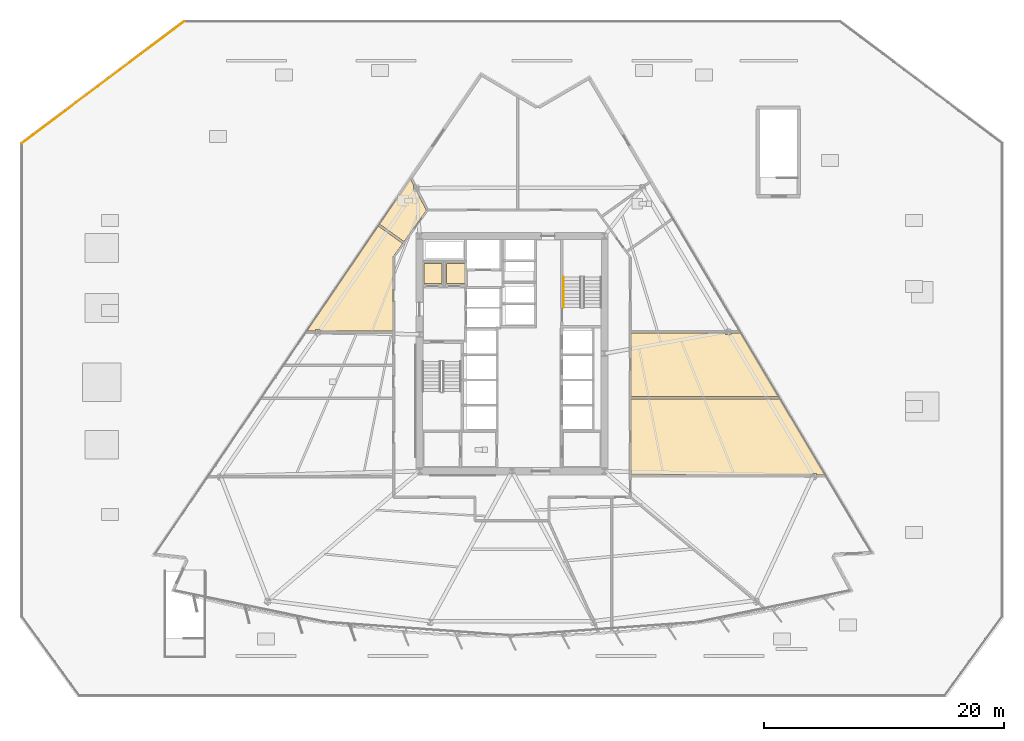
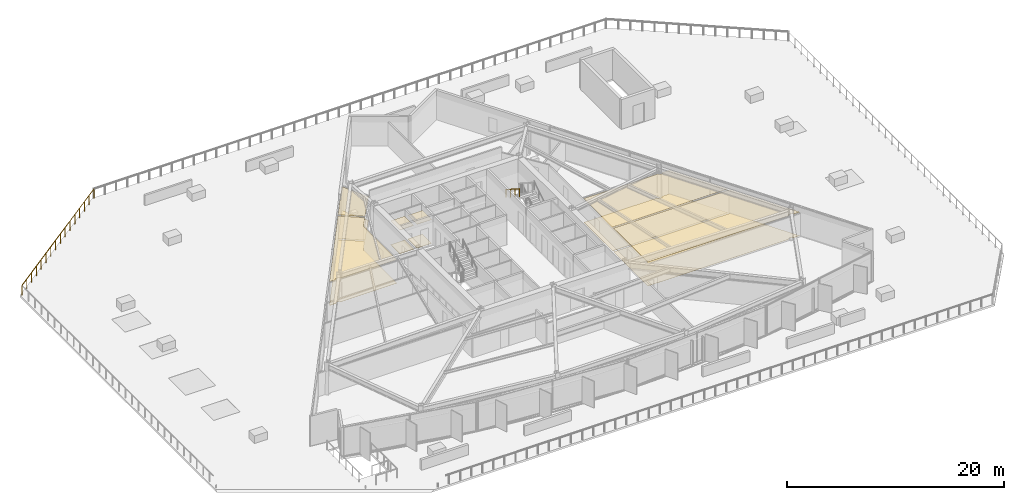
# One storey, part 16 of 19: 12 coverings, 2 railings.
"""IFC4 building model written with IfcOpenShell, lengths in metres."""

from ifc_helpers import new_model, si_unit, direction, frame, origin, origin_2d, place, context, subcontext, project, spatial, polyline, circle, outline, extrude, material, layer, layer_set, type_object, element, save


model = new_model("IFC4")

# Units and contexts
model_context = context("Model", 3, precision=1e-05, world=origin(), true_north=direction((0.0, 1.0)))
body_context = subcontext(model_context, "Body", "Model", "MODEL_VIEW")
ifc_project = project(units=[si_unit("LENGTHUNIT", "METRE"), si_unit("AREAUNIT", "SQUARE_METRE"), si_unit("VOLUMEUNIT", "CUBIC_METRE"), si_unit("PLANEANGLEUNIT", "RADIAN"), si_unit("MASSUNIT", "GRAM", prefix="KILO")], contexts=[model_context])

# Site, building, storey
site_placement = place(None, origin())
site = spatial("IfcSite", under=ifc_project, at=site_placement, CompositionType="ELEMENT")
building_placement = place(site_placement, origin())
building = spatial("IfcBuilding", under=site, at=building_placement, Name="Savorim Split Tower", CompositionType="ELEMENT")
storey_placement = place(building_placement, frame((0.0, 0.0, 26.39990234375)))
storey = spatial("IfcBuildingStorey", under=building, at=storey_placement, Name="L06", CompositionType="ELEMENT", Elevation=26.39990234375)

# Coverings
ifc_material_1 = material(Name="Mineral Fibre Acoustic Ceiling")
ifc_layer_1 = layer(ifc_material_1, 0.02490234375)
ifc_layer_set_1 = layer_set([ifc_layer_1], Name="COV-CEIL-25")
covering_type_1 = type_object("IfcCoveringType", Name="COV-CEIL-25", PredefinedType="CEILING", material=ifc_layer_set_1)
covering_1_placement = place(storey_placement, frame((0.0, 0.0, 2.670166015625)))
element("IfcCovering", 1, at=covering_1_placement, inside=storey, type_object=covering_type_1, Name="L06 Electrical Riser Acoustic Ceiling", PredefinedType="CEILING", context=body_context, shape_type="SweptSolid", body=[
    extrude(outline(polyline([(-7.320068359375, 7.919921875), (-7.320068359375, 6.22998046875), (-5.830078125, 6.22998046875), (-5.830078125, 7.919921875), (-7.320068359375, 7.919921875)])), origin(), (0.0, 0.0, 1.0), 0.02490234375),
])
covering_2_placement = place(storey_placement, frame((0.0, 0.0, 2.670166015625)))
element("IfcCovering", 2, at=covering_2_placement, inside=storey, type_object=covering_type_1, Name="L06 Telecom Riser Acoustic Ceiling", PredefinedType="CEILING", context=body_context, shape_type="SweptSolid", body=[
    extrude(outline(polyline([(-5.469970703125, 7.919921875), (-5.469970703125, 6.22998046875), (-3.929931640625, 6.22998046875), (-3.929931640625, 7.919921875), (-5.469970703125, 7.919921875)])), origin(), (0.0, 0.0, 1.0), 0.02490234375),
])
covering_3_placement = place(storey_placement, frame((0.0, 0.0, 2.670166015625)))
element("IfcCovering", 3, at=covering_3_placement, inside=storey, type_object=covering_type_1, Name="L06 Co-Working Commons Acoustic Ceiling", PredefinedType="CEILING", context=body_context, shape_type="SweptSolid", body=[
    extrude(outline(polyline([(25.384765625, -9.57373046875), (25.384765625, -9.711669921875), (26.097900390625, -9.711669921875), (26.099609375, -9.711669921875), (22.33251953125, -3.376708984375), (9.919921875, -3.376708984375), (9.919921875, -9.711669921875), (24.94873046875, -9.711669921875), (24.94873046875, -9.57373046875), (25.384765625, -9.57373046875)])), origin(), (0.0, 0.0, 1.0), 0.02490234375),
])
covering_4_placement = place(storey_placement, frame((0.0, 0.0, 2.670166015625)))
element("IfcCovering", 4, at=covering_4_placement, inside=storey, type_object=covering_type_1, Name="L06 Maker Workshop Acoustic Ceiling", PredefinedType="CEILING", context=body_context, shape_type="SweptSolid", body=[
    extrude(outline(polyline([(17.797607421875, 1.986572265625), (17.797607421875, 2.12451171875), (9.919921875, 2.12451171875), (9.919921875, -3.186767578125), (22.219482421875, -3.186767578125), (19.041748046875, 2.15771484375), (19.041748046875, 2.12451171875), (18.2333984375, 2.12451171875), (18.2333984375, 1.986572265625), (17.797607421875, 1.986572265625)])), origin(), (0.0, 0.0, 1.0), 0.02490234375),
])
covering_5_placement = place(storey_placement, frame((0.0, 0.0, 2.670166015625)))
element("IfcCovering", 5, at=covering_5_placement, inside=storey, type_object=covering_type_1, Name="L06 Shared Bathroom Acoustic Ceiling", PredefinedType="CEILING", context=body_context, shape_type="SweptSolid", body=[
    extrude(outline(polyline([(-8.194580078125, 13.964111328125), (-8.194580078125, 14.416015625), (-8.473388671875, 14.962890625), (-8.4755859375, 14.96728515625), (-11.04150390625, 11.195556640625), (-8.998046875, 9.731689453125), (-7.13427734375, 12.3330078125), (-7.964599609375, 13.964111328125), (-8.194580078125, 13.964111328125)])), origin(), (0.0, 0.0, 1.0), 0.02490234375),
])
covering_6_placement = place(storey_placement, frame((0.0, 0.0, 2.670166015625)))
element("IfcCovering", 6, at=covering_6_placement, inside=storey, type_object=covering_type_1, Name="L06 Co-Living Bedroom Acoustic Ceiling", PredefinedType="CEILING", context=body_context, shape_type="SweptSolid", body=[
    extrude(outline(polyline([(-9.908203125, 8.456298828125), (-9.901611328125, 8.46923828125), (-9.893798828125, 8.4814453125), (-9.10888671875, 9.5771484375), (-11.148193359375, 11.038330078125), (-17.1162109375, 2.265869140625), (-16.3759765625, 2.265869140625), (-16.3759765625, 2.40380859375), (-15.93994140625, 2.40380859375), (-15.93994140625, 2.265869140625), (-9.919921875, 2.265869140625), (-9.919921875, 8.39990234375), (-9.919189453125, 8.41455078125), (-9.9169921875, 8.4287109375), (-9.913330078125, 8.44287109375), (-9.908203125, 8.456298828125)])), origin(), (0.0, 0.0, 1.0), 0.02490234375),
])
ifc_material_2 = material(Name="Porcelain Stoneware Flooring", Category="masonry")
ifc_layer_2 = layer(ifc_material_2, 0.02001953125)
ifc_layer_set_2 = layer_set([ifc_layer_2], Name="COV-FLOR-20")
covering_type_2 = type_object("IfcCoveringType", Name="COV-FLOR-20", PredefinedType="FLOORING", material=ifc_layer_set_2)
covering_7_placement = place(storey_placement, origin())
element("IfcCovering", 7, at=covering_7_placement, inside=storey, type_object=covering_type_2, Name="L06 Electrical Riser Porcelain Flooring", PredefinedType="FLOORING", context=body_context, shape_type="SweptSolid", body=[
    extrude(outline(polyline([(-7.320068359375, 7.919921875), (-7.320068359375, 6.22998046875), (-5.830078125, 6.22998046875), (-5.830078125, 7.919921875), (-7.320068359375, 7.919921875)])), origin(), (0.0, 0.0, 1.0), 0.02001953125),
])
covering_8_placement = place(storey_placement, origin())
element("IfcCovering", 8, at=covering_8_placement, inside=storey, type_object=covering_type_2, Name="L06 Telecom Riser Porcelain Flooring", PredefinedType="FLOORING", context=body_context, shape_type="SweptSolid", body=[
    extrude(outline(polyline([(-5.469970703125, 7.919921875), (-5.469970703125, 6.22998046875), (-3.929931640625, 6.22998046875), (-3.929931640625, 7.919921875), (-5.469970703125, 7.919921875)])), origin(), (0.0, 0.0, 1.0), 0.02001953125),
])
covering_9_placement = place(storey_placement, origin())
element("IfcCovering", 9, at=covering_9_placement, inside=storey, type_object=covering_type_2, Name="L06 Co-Working Commons Porcelain Flooring", PredefinedType="FLOORING", context=body_context, shape_type="SweptSolid", body=[
    extrude(outline(polyline([(25.384765625, -9.57373046875), (25.384765625, -9.711669921875), (26.097900390625, -9.711669921875), (26.099609375, -9.711669921875), (22.33251953125, -3.376708984375), (9.919921875, -3.376708984375), (9.919921875, -9.711669921875), (24.94873046875, -9.711669921875), (24.94873046875, -9.57373046875), (25.384765625, -9.57373046875)])), origin(), (0.0, 0.0, 1.0), 0.02001953125),
])
covering_10_placement = place(storey_placement, origin())
element("IfcCovering", 10, at=covering_10_placement, inside=storey, type_object=covering_type_2, Name="L06 Maker Workshop Porcelain Flooring", PredefinedType="FLOORING", context=body_context, shape_type="SweptSolid", body=[
    extrude(outline(polyline([(17.797607421875, 1.986572265625), (17.797607421875, 2.12451171875), (9.919921875, 2.12451171875), (9.919921875, -3.186767578125), (22.219482421875, -3.186767578125), (19.041748046875, 2.15771484375), (19.041748046875, 2.12451171875), (18.2333984375, 2.12451171875), (18.2333984375, 1.986572265625), (17.797607421875, 1.986572265625)])), origin(), (0.0, 0.0, 1.0), 0.02001953125),
])
covering_11_placement = place(storey_placement, origin())
element("IfcCovering", 11, at=covering_11_placement, inside=storey, type_object=covering_type_2, Name="L06 Shared Bathroom Porcelain Flooring", PredefinedType="FLOORING", context=body_context, shape_type="SweptSolid", body=[
    extrude(outline(polyline([(-8.194580078125, 13.964111328125), (-8.194580078125, 14.416015625), (-8.473388671875, 14.962890625), (-8.4755859375, 14.96728515625), (-11.04150390625, 11.195556640625), (-8.998046875, 9.731689453125), (-7.13427734375, 12.3330078125), (-7.964599609375, 13.964111328125), (-8.194580078125, 13.964111328125)])), origin(), (0.0, 0.0, 1.0), 0.02001953125),
])
covering_12_placement = place(storey_placement, origin())
element("IfcCovering", 12, at=covering_12_placement, inside=storey, type_object=covering_type_2, Name="L06 Co-Living Bedroom Porcelain Flooring", PredefinedType="FLOORING", context=body_context, shape_type="SweptSolid", body=[
    extrude(outline(polyline([(-9.908203125, 8.456298828125), (-9.901611328125, 8.46923828125), (-9.893798828125, 8.4814453125), (-9.10888671875, 9.5771484375), (-11.148193359375, 11.038330078125), (-17.1162109375, 2.265869140625), (-16.3759765625, 2.265869140625), (-16.3759765625, 2.40380859375), (-15.93994140625, 2.40380859375), (-15.93994140625, 2.265869140625), (-9.919921875, 2.265869140625), (-9.919921875, 8.39990234375), (-9.919189453125, 8.41455078125), (-9.9169921875, 8.4287109375), (-9.913330078125, 8.44287109375), (-9.908203125, 8.456298828125)])), origin(), (0.0, 0.0, 1.0), 0.02001953125),
])

# Railings
ifc_material_3 = material(Name="Galvanised Painted Steel Balustrade", Category="steel")
railing_type_1 = type_object("IfcRailingType", Name="RLG-BAL-1100", PredefinedType="BALUSTRADE", material=ifc_material_3)
railing_1_placement = place(storey_placement, frame((-27.290283203125, 28.087158203125, 0.0)))
element("IfcRailing", 13, at=railing_1_placement, inside=storey, type_object=railing_type_1, Name="L06 Raised Public Garden Perimeter Balustrade 6", PredefinedType="BALUSTRADE", context=body_context, shape_type="SweptSolid", body=[
    extrude(circle(Radius=0.02392578125, at=origin_2d()), frame((0.0, 0.0, 1.076171875), z_axis=(-0.80000173026, -0.59999769298, 0.0), x_axis=(0.59999769298, -0.80000173026, 0.0)), (0.0, 0.0, 1.0), 16.93212890625),
    extrude(circle(Radius=0.02099609375, at=origin_2d()), origin(), (0.0, 0.0, 1.0), 1.052001953125),
    extrude(circle(Radius=0.02099609375, at=origin_2d()), frame((-0.903076171875, -0.67724609375, 0.0)), (0.0, 0.0, 1.0), 1.052001953125),
    extrude(circle(Radius=0.02099609375, at=origin_2d()), frame((-1.80615234375, -1.3544921875, 0.0)), (0.0, 0.0, 1.0), 1.052001953125),
    extrude(circle(Radius=0.02099609375, at=origin_2d()), frame((-2.709228515625, -2.03173828125, 0.0)), (0.0, 0.0, 1.0), 1.052001953125),
    extrude(circle(Radius=0.02099609375, at=origin_2d()), frame((-3.612060546875, -2.709228515625, 0.0)), (0.0, 0.0, 1.0), 1.052001953125),
    extrude(circle(Radius=0.02099609375, at=origin_2d()), frame((-4.51513671875, -3.386474609375, 0.0)), (0.0, 0.0, 1.0), 1.052001953125),
    extrude(circle(Radius=0.02099609375, at=origin_2d()), frame((-5.418212890625, -4.063720703125, 0.0)), (0.0, 0.0, 1.0), 1.052001953125),
    extrude(circle(Radius=0.02099609375, at=origin_2d()), frame((-6.3212890625, -4.740966796875, 0.0)), (0.0, 0.0, 1.0), 1.052001953125),
    extrude(circle(Radius=0.02099609375, at=origin_2d()), frame((-7.224365234375, -5.418212890625, 0.0)), (0.0, 0.0, 1.0), 1.052001953125),
    extrude(circle(Radius=0.02099609375, at=origin_2d()), frame((-8.12744140625, -6.095458984375, 0.0)), (0.0, 0.0, 1.0), 1.052001953125),
    extrude(circle(Radius=0.02099609375, at=origin_2d()), frame((-9.030517578125, -6.772705078125, 0.0)), (0.0, 0.0, 1.0), 1.052001953125),
    extrude(circle(Radius=0.02099609375, at=origin_2d()), frame((-9.93359375, -7.449951171875, 0.0)), (0.0, 0.0, 1.0), 1.052001953125),
    extrude(circle(Radius=0.02099609375, at=origin_2d()), frame((-10.83642578125, -8.12744140625, 0.0)), (0.0, 0.0, 1.0), 1.052001953125),
    extrude(circle(Radius=0.02099609375, at=origin_2d()), frame((-11.739501953125, -8.8046875, 0.0)), (0.0, 0.0, 1.0), 1.052001953125),
    extrude(circle(Radius=0.02099609375, at=origin_2d()), frame((-12.642578125, -9.48193359375, 0.0)), (0.0, 0.0, 1.0), 1.052001953125),
    extrude(circle(Radius=0.02099609375, at=origin_2d()), frame((-13.545654296875, -10.1591796875, 0.0)), (0.0, 0.0, 1.0), 1.052001953125),
])
railing_type_2 = type_object("IfcRailingType", Name="RLG-HR-900", PredefinedType="HANDRAIL", material=ifc_material_3)
railing_2_placement = place(storey_placement, frame((4.300048828125, 6.77001953125, 1.97998046875)))
element("IfcRailing", 14, at=railing_2_placement, inside=storey, type_object=railing_type_2, Name="L06 ST-2 stair handrail 2", PredefinedType="HANDRAIL", context=body_context, shape_type="SweptSolid", body=[
    extrude(circle(Radius=0.02392578125, at=origin_2d()), frame((0.0, 0.0, 0.8759765625), z_axis=(0.0, -0.841162588446, 0.540782303519), x_axis=(1.0, 0.0, 0.0)), (0.0, 0.0, 1.0), 2.995849609375),
    extrude(circle(Radius=0.02099609375, at=origin_2d()), origin(), (0.0, 0.0, 1.0), 0.851806640625),
    extrude(circle(Radius=0.02099609375, at=origin_2d()), frame((0.0, -0.840087890625, 0.5400390625)), (0.0, 0.0, 1.0), 0.851806640625),
    extrude(circle(Radius=0.02099609375, at=origin_2d()), frame((0.0, -1.679931640625, 1.080078125)), (0.0, 0.0, 1.0), 0.851806640625),
    extrude(circle(Radius=0.02099609375, at=origin_2d()), frame((0.0, -2.52001953125, 1.6201171875)), (0.0, 0.0, 1.0), 0.851806640625),
])

save(model, "model.ifc")
